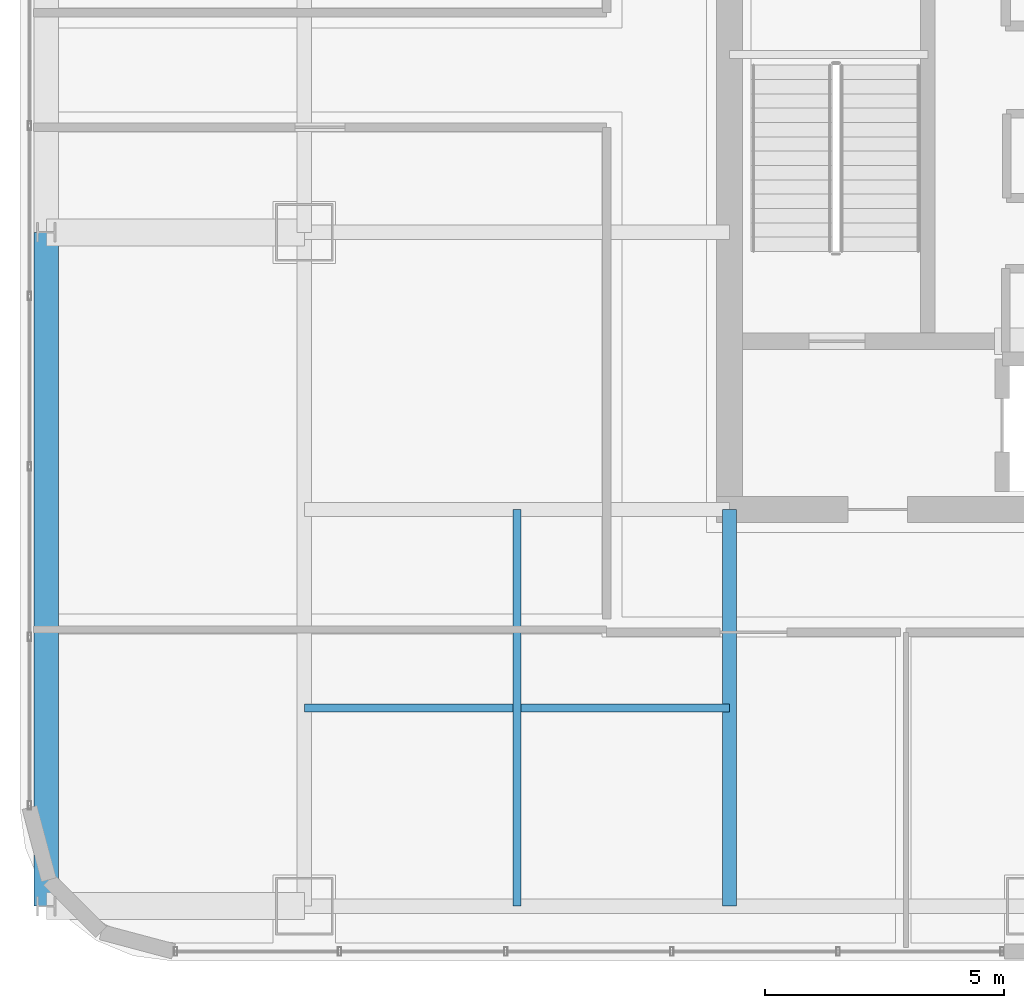
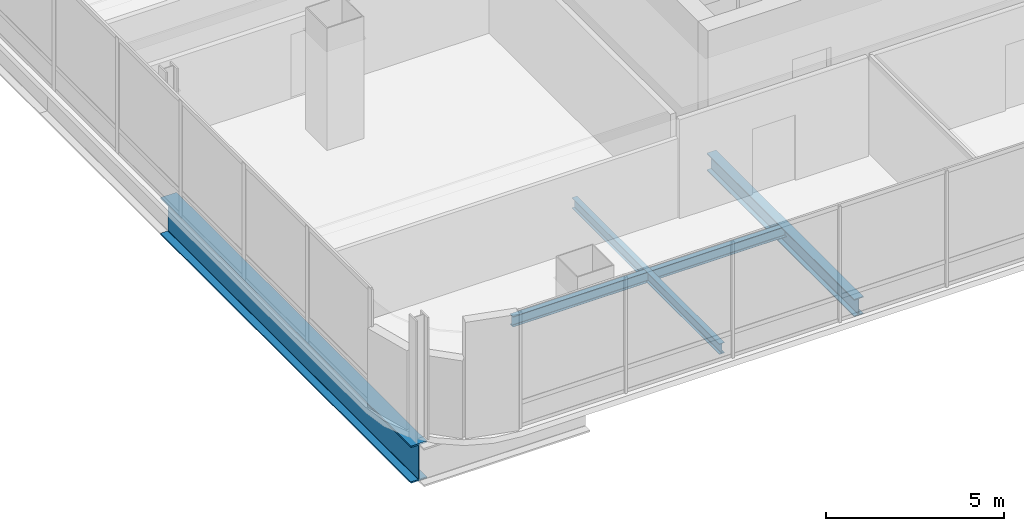
# One storey, part 5 of 43: 4 beams.
"""IFC4 building model written with IfcOpenShell, lengths in metres."""

from ifc_helpers import new_model, si_unit, direction, frame, origin, origin_2d, place, context, subcontext, project, spatial, i_section, extrude, material, material_profile, profile_set, type_object, element, save


model = new_model("IFC4")

# Units and contexts
model_context = context("Model", 3, precision=1e-05, world=origin(), true_north=direction((0.0, 1.0)))
body_context = subcontext(model_context, "Body", "Model", "MODEL_VIEW")
ifc_project = project(units=[si_unit("LENGTHUNIT", "METRE"), si_unit("AREAUNIT", "SQUARE_METRE"), si_unit("VOLUMEUNIT", "CUBIC_METRE"), si_unit("PLANEANGLEUNIT", "RADIAN"), si_unit("MASSUNIT", "GRAM", prefix="KILO")], contexts=[model_context])

# Site, building, storey
site_placement = place(None, origin())
site = spatial("IfcSite", under=ifc_project, at=site_placement, CompositionType="ELEMENT")
building_placement = place(site_placement, origin())
building = spatial("IfcBuilding", under=site, at=building_placement, Name="Punatoya Terracotta Tower", CompositionType="ELEMENT")
storey_placement = place(building_placement, frame((0.0, 0.0, 300.60009765625)))
storey = spatial("IfcBuildingStorey", under=building, at=storey_placement, Name="L71", CompositionType="ELEMENT", Elevation=300.60009765625)

# Beams
ifc_material_1 = material(Name="Steel S355", Category="steel")
ifc_material_profile_1 = material_profile(ifc_material_1, i_section(OverallWidth=0.300048828125, OverallDepth=0.60009765625, WebThickness=0.015380859375, FlangeThickness=0.030029296875, FilletRadius=0.01806640625, at=origin_2d()))
ifc_profile_set_1 = profile_set([ifc_material_profile_1], Name="Steel S355")
beam_type_1 = type_object("IfcBeamType", Name="BM-PRI-600", PredefinedType="BEAM", material=ifc_profile_set_1)
beam_1_placement = place(storey_placement, frame((-10.199951171875, -17.5, -0.5), z_axis=(0.0, 1.0, 0.0), x_axis=(-1.0, 0.0, 0.0)))
element("IfcBeam", 1, at=beam_1_placement, inside=storey, type_object=beam_type_1, Name="BM-L71-PR-S1", PredefinedType="BEAM", context=body_context, shape_type="SweptSolid", body=[
    extrude(i_section(OverallWidth=0.300048828125, OverallDepth=0.60009765625, WebThickness=0.015380859375, FlangeThickness=0.030029296875, FilletRadius=0.01806640625, at=origin_2d()), origin(), (0.0, 0.0, 1.0), 8.300048828125),
])
ifc_material_profile_2 = material_profile(ifc_material_1, i_section(OverallWidth=0.169921875, OverallDepth=0.360107421875, WebThickness=0.008056640625, FlangeThickness=0.0126953125, FilletRadius=0.01806640625, at=origin_2d()))
ifc_profile_set_2 = profile_set([ifc_material_profile_2], Name="Steel S355")
beam_type_2 = type_object("IfcBeamType", Name="BM-SEC-360", PredefinedType="JOIST", material=ifc_profile_set_2)
beam_2_placement = place(storey_placement, frame((-19.10009765625, -13.35009765625, -0.380126953125), z_axis=(1.0, 0.0, 0.0), x_axis=(0.0, 1.0, 0.0)))
element("IfcBeam", 2, at=beam_2_placement, inside=storey, type_object=beam_type_2, Name="BM-L71-SJS-1", PredefinedType="JOIST", context=body_context, shape_type="SweptSolid", body=[
    extrude(i_section(OverallWidth=0.169921875, OverallDepth=0.360107421875, WebThickness=0.008056640625, FlangeThickness=0.0126953125, FilletRadius=0.01806640625, at=origin_2d()), origin(), (0.0, 0.0, 1.0), 8.900146484375),
])
beam_3_placement = place(storey_placement, frame((-14.64990234375, -17.5, -0.380126953125), z_axis=(0.0, 1.0, 0.0), x_axis=(-1.0, 0.0, 0.0)))
element("IfcBeam", 3, at=beam_3_placement, inside=storey, type_object=beam_type_2, Name="BM-L71-SJW-1", PredefinedType="JOIST", context=body_context, shape_type="SweptSolid", body=[
    extrude(i_section(OverallWidth=0.169921875, OverallDepth=0.360107421875, WebThickness=0.008056640625, FlangeThickness=0.0126953125, FilletRadius=0.01806640625, at=origin_2d()), origin(), (0.0, 0.0, 1.0), 8.300048828125),
])
ifc_material_2 = material(Name="Steel S460", Category="steel")
ifc_material_profile_3 = material_profile(ifc_material_2, i_section(OverallWidth=0.52001953125, OverallDepth=1.280029296875, WebThickness=0.031982421875, FlangeThickness=0.050048828125, FilletRadius=0.01806640625, at=origin_2d()))
ifc_profile_set_3 = profile_set([ifc_material_profile_3], Name="Steel S460")
beam_type_3 = type_object("IfcBeamType", Name="BM-TG-NCK", PredefinedType="BEAM", material=ifc_profile_set_3)
beam_4_placement = place(storey_placement, frame((-24.5, -17.5, -0.840087890625), z_axis=(0.0, 1.0, 0.0), x_axis=(-1.0, 0.0, 0.0)))
element("IfcBeam", 4, at=beam_4_placement, inside=storey, type_object=beam_type_3, Name="BM-L71-PER-W1", PredefinedType="BEAM", context=body_context, shape_type="SweptSolid", body=[
    extrude(i_section(OverallWidth=0.52001953125, OverallDepth=1.280029296875, WebThickness=0.031982421875, FlangeThickness=0.050048828125, FilletRadius=0.01806640625, at=origin_2d()), origin(), (0.0, 0.0, 1.0), 14.10009765625),
])

save(model, "model.ifc")
